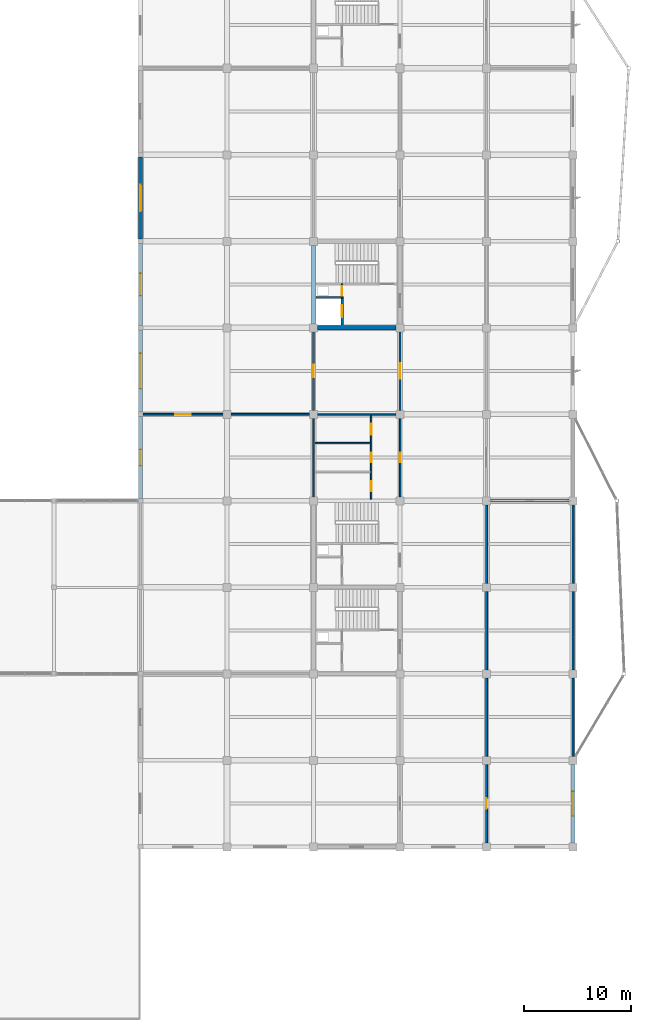
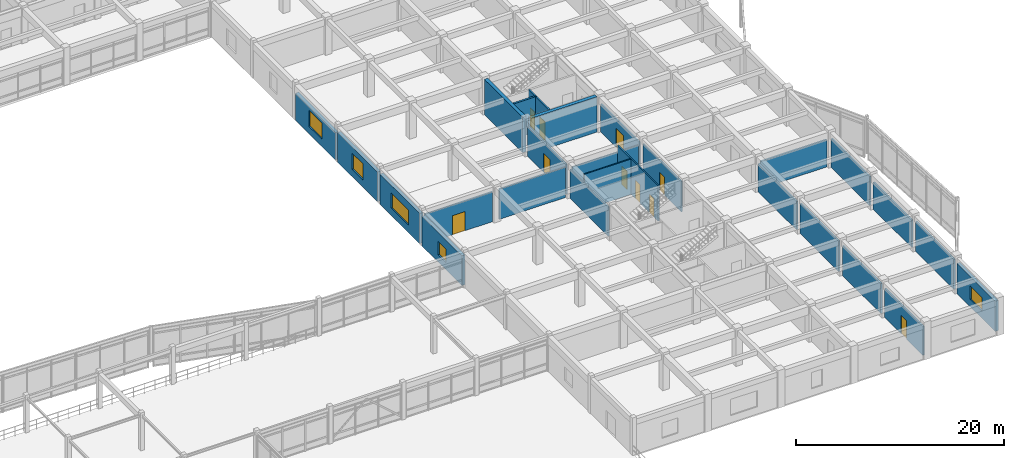
# One storey, part 70 of 89: 27 walls, 10 doors, 5 windows, 15 openings.
"""IFC4 building model written with IfcOpenShell, lengths in metres."""

from ifc_helpers import new_model, si_unit, direction, frame, frame_2d, origin, place, context, subcontext, project, spatial, rectangle, extrude, material, layer, layer_set, type_object, element, fill, save


model = new_model("IFC4")

# Units and contexts
model_context = context("Model", 3, precision=1e-05, world=origin(), true_north=direction((0.0, 1.0)))
body_context = subcontext(model_context, "Body", "Model", "MODEL_VIEW")
ifc_project = project(units=[si_unit("LENGTHUNIT", "METRE"), si_unit("AREAUNIT", "SQUARE_METRE"), si_unit("VOLUMEUNIT", "CUBIC_METRE"), si_unit("PLANEANGLEUNIT", "RADIAN"), si_unit("MASSUNIT", "GRAM", prefix="KILO")], contexts=[model_context])

# Site, building, storey
site_placement = place(None, origin())
site = spatial("IfcSite", under=ifc_project, at=site_placement, CompositionType="ELEMENT")
building_placement = place(site_placement, origin())
building = spatial("IfcBuilding", under=site, at=building_placement, Name="Vaudrelin Polytechnic", CompositionType="ELEMENT")
storey_placement = place(building_placement, frame((0.0, 0.0, 9.68994140625)))
storey = spatial("IfcBuildingStorey", under=building, at=storey_placement, Name="L02", CompositionType="ELEMENT", Elevation=9.68994140625)

# Wall, opening, window
ifc_material_1 = material(Name="Precast concrete 35 MPa with terracotta baguette screen", Category="masonry")
ifc_layer_1 = layer(ifc_material_1, 0.35009765625)
ifc_layer_set_1 = layer_set([ifc_layer_1], Name="Precast concrete 35 MPa with terracotta baguette screen")
wall_type_1 = type_object("IfcWallType", Name="WAL-EW-TERR350", PredefinedType="STANDARD", material=ifc_layer_set_1)
wall_1_placement = place(storey_placement, frame((170.10009765625, 16.572998046875, 0.0), z_axis=(0.0, 0.0, 1.0), x_axis=(0.0, 1.0, 0.0)))
wall_1 = element("IfcWall", 1, at=wall_1_placement, inside=storey, type_object=wall_type_1, Name="Exterior wall L02 E_V4_00", PredefinedType="STANDARD", context=body_context, shape_type="SweptSolid", body=[
    extrude(rectangle(XDim=7.35400390625, YDim=0.35009765625, at=frame_2d((3.677001953125, 0.0))), origin(), (0.0, 0.0, 1.0), 3.5419921875),
])
opening_1_placement = place(wall_1_placement, frame((2.527099609375, 0.0, 0.85009765625)))
opening_1 = element("IfcOpeningElement", 2, at=opening_1_placement, cuts=wall_1, Name="Opening W-L02-E-V4-01", PredefinedType="OPENING", context=body_context, shape_type="SweptSolid", body=[
    extrude(rectangle(XDim=2.300048828125, YDim=1.60009765625, at=frame_2d((1.14990234375, 0.800048828125))), frame((0.0, 0.18505859375, 0.0), z_axis=(0.0, -1.0, 0.0), x_axis=(1.0, 0.0, 0.0)), (0.0, 0.0, 1.0), 0.3701171875),
])
ifc_material_2 = material(Name="Thermally broken aluminium frame with triple low-e glazing", Category="aluminium")
window_type_1 = type_object("IfcWindowType", Name="WIN-WN-44", PartitioningType="SINGLE_PANEL", PredefinedType="WINDOW", material=ifc_material_2)
window_1_placement = place(opening_1_placement, origin())
window_1 = element("IfcWindow", 3, at=window_1_placement, inside=storey, type_object=window_type_1, Name="Facade window L02-E_V4_00", OverallHeight=1.60009765625, OverallWidth=2.300048828125, PartitioningType="SINGLE_PANEL", PredefinedType="WINDOW", context=body_context, shape_type="SweptSolid", body=[
    extrude(rectangle(XDim=2.300048828125, YDim=1.60009765625, at=frame_2d((1.14990234375, 0.800048828125))), frame((0.0, 0.030029296875, 0.0), z_axis=(0.0, -1.0, 0.0), x_axis=(1.0, 0.0, 0.0)), (0.0, 0.0, 1.0), 0.06005859375),
])
fill(opening_1, window_1)

wall_2_placement = place(storey_placement, frame((129.60009765625, 48.822998046875, 0.0), z_axis=(0.0, 0.0, 1.0), x_axis=(0.0, 1.0, 0.0)))
wall_2 = element("IfcWall", 4, at=wall_2_placement, inside=storey, type_object=wall_type_1, Name="Exterior wall L02 CT_E_00", PredefinedType="STANDARD", context=body_context, shape_type="SweptSolid", body=[
    extrude(rectangle(XDim=7.654052734375, YDim=0.35009765625, at=frame_2d((3.8271484375, 0.0))), origin(), (0.0, 0.0, 1.0), 3.491943359375),
])
opening_2_placement = place(wall_2_placement, frame((3.076904296875, 0.0, 0.85009765625)))
opening_2 = element("IfcOpeningElement", 5, at=opening_2_placement, cuts=wall_2, Name="Opening W-L02-CT-E-01", PredefinedType="OPENING", context=body_context, shape_type="SweptSolid", body=[
    extrude(rectangle(XDim=1.5, YDim=1.550048828125, at=frame_2d((0.75, 0.77490234375))), frame((0.0, 0.18505859375, 0.0), z_axis=(0.0, -1.0, 0.0), x_axis=(1.0, 0.0, 0.0)), (0.0, 0.0, 1.0), 0.3701171875),
])
window_type_2 = type_object("IfcWindowType", Name="WIN-WN-24", PartitioningType="SINGLE_PANEL", PredefinedType="WINDOW", material=ifc_material_2)
window_2_placement = place(opening_2_placement, origin())
window_2 = element("IfcWindow", 6, at=window_2_placement, inside=storey, type_object=window_type_2, Name="Facade window L02-CT_E_00", OverallHeight=1.550048828125, OverallWidth=1.5, PartitioningType="SINGLE_PANEL", PredefinedType="WINDOW", context=body_context, shape_type="SweptSolid", body=[
    extrude(rectangle(XDim=1.5, YDim=1.550048828125, at=frame_2d((0.75, 0.77490234375))), frame((0.0, 0.030029296875, 0.0), z_axis=(0.0, -1.0, 0.0), x_axis=(1.0, 0.0, 0.0)), (0.0, 0.0, 1.0), 0.06005859375),
])
fill(opening_2, window_2)

wall_3_placement = place(storey_placement, frame((129.60009765625, 56.923095703125, 0.0), z_axis=(0.0, 0.0, 1.0), x_axis=(0.0, 1.0, 0.0)))
wall_3 = element("IfcWall", 7, at=wall_3_placement, inside=storey, type_object=wall_type_1, Name="Exterior wall L02 CT_E_01", PredefinedType="STANDARD", context=body_context, shape_type="SweptSolid", body=[
    extrude(rectangle(XDim=7.65380859375, YDim=0.35009765625, at=frame_2d((3.826904296875, 0.0))), origin(), (0.0, 0.0, 1.0), 3.5419921875),
])
opening_3_placement = place(wall_3_placement, frame((2.177001953125, 0.0, 0.85009765625)))
opening_3 = element("IfcOpeningElement", 8, at=opening_3_placement, cuts=wall_3, Name="Opening W-L02-CT-E-02", PredefinedType="OPENING", context=body_context, shape_type="SweptSolid", body=[
    extrude(rectangle(XDim=3.300048828125, YDim=1.800048828125, at=frame_2d((1.64990234375, 0.89990234375))), frame((0.0, 0.18505859375, 0.0), z_axis=(0.0, -1.0, 0.0), x_axis=(1.0, 0.0, 0.0)), (0.0, 0.0, 1.0), 0.3701171875),
])
window_type_3 = type_object("IfcWindowType", Name="WIN-WN-25", PartitioningType="SINGLE_PANEL", PredefinedType="WINDOW", material=ifc_material_2)
window_3_placement = place(opening_3_placement, origin())
window_3 = element("IfcWindow", 9, at=window_3_placement, inside=storey, type_object=window_type_3, Name="Facade window L02-CT_E_01", OverallHeight=1.800048828125, OverallWidth=3.300048828125, PartitioningType="SINGLE_PANEL", PredefinedType="WINDOW", context=body_context, shape_type="SweptSolid", body=[
    extrude(rectangle(XDim=3.300048828125, YDim=1.800048828125, at=frame_2d((1.64990234375, 0.89990234375))), frame((0.0, 0.030029296875, 0.0), z_axis=(0.0, -1.0, 0.0), x_axis=(1.0, 0.0, 0.0)), (0.0, 0.0, 1.0), 0.06005859375),
])
fill(opening_3, window_3)

wall_4_placement = place(storey_placement, frame((129.60009765625, 65.02294921875, 0.0), z_axis=(0.0, 0.0, 1.0), x_axis=(0.0, 1.0, 0.0)))
wall_4 = element("IfcWall", 10, at=wall_4_placement, inside=storey, type_object=wall_type_1, Name="Exterior wall L02 CT_E_02", PredefinedType="STANDARD", context=body_context, shape_type="SweptSolid", body=[
    extrude(rectangle(XDim=7.654052734375, YDim=0.35009765625, at=frame_2d((3.8271484375, 0.0))), origin(), (0.0, 0.0, 1.0), 3.491943359375),
])
opening_4_placement = place(wall_4_placement, frame((2.777099609375, 0.0, 0.85009765625)))
opening_4 = element("IfcOpeningElement", 11, at=opening_4_placement, cuts=wall_4, Name="Opening W-L02-CT-E-03", PredefinedType="OPENING", context=body_context, shape_type="SweptSolid", body=[
    extrude(rectangle(XDim=2.10009765625, YDim=1.89990234375, at=frame_2d((1.050048828125, 0.949951171875))), frame((0.0, 0.18505859375, 0.0), z_axis=(0.0, -1.0, 0.0), x_axis=(1.0, 0.0, 0.0)), (0.0, 0.0, 1.0), 0.3701171875),
])
window_type_4 = type_object("IfcWindowType", Name="WIN-WN-26", PartitioningType="SINGLE_PANEL", PredefinedType="WINDOW", material=ifc_material_2)
window_4_placement = place(opening_4_placement, origin())
window_4 = element("IfcWindow", 12, at=window_4_placement, inside=storey, type_object=window_type_4, Name="Facade window L02-CT_E_02", OverallHeight=1.89990234375, OverallWidth=2.10009765625, PartitioningType="SINGLE_PANEL", PredefinedType="WINDOW", context=body_context, shape_type="SweptSolid", body=[
    extrude(rectangle(XDim=2.10009765625, YDim=1.89990234375, at=frame_2d((1.050048828125, 0.949951171875))), frame((0.0, 0.030029296875, 0.0), z_axis=(0.0, -1.0, 0.0), x_axis=(1.0, 0.0, 0.0)), (0.0, 0.0, 1.0), 0.06005859375),
])
fill(opening_4, window_4)

wall_5_placement = place(storey_placement, frame((129.60009765625, 73.123046875, 0.0), z_axis=(0.0, 0.0, 1.0), x_axis=(0.0, 1.0, 0.0)))
wall_5 = element("IfcWall", 13, at=wall_5_placement, inside=storey, type_object=wall_type_1, Name="Exterior wall L02 CT_E_03", PredefinedType="STANDARD", context=body_context, shape_type="SweptSolid", body=[
    extrude(rectangle(XDim=7.654052734375, YDim=0.35009765625, at=frame_2d((3.8271484375, 0.0))), origin(), (0.0, 0.0, 1.0), 3.192138671875),
])
opening_5_placement = place(wall_5_placement, frame((2.576904296875, 0.0, 0.85009765625)))
opening_5 = element("IfcOpeningElement", 14, at=opening_5_placement, cuts=wall_5, Name="Opening W-L02-CT-E-04", PredefinedType="OPENING", context=body_context, shape_type="SweptSolid", body=[
    extrude(rectangle(XDim=2.5, YDim=1.89990234375, at=frame_2d((1.25, 0.949951171875))), frame((0.0, 0.18505859375, 0.0), z_axis=(0.0, -1.0, 0.0), x_axis=(1.0, 0.0, 0.0)), (0.0, 0.0, 1.0), 0.3701171875),
])
window_type_5 = type_object("IfcWindowType", Name="WIN-WN-27", PartitioningType="SINGLE_PANEL", PredefinedType="WINDOW", material=ifc_material_2)
window_5_placement = place(opening_5_placement, origin())
window_5 = element("IfcWindow", 15, at=window_5_placement, inside=storey, type_object=window_type_5, Name="Facade window L02-CT_E_03", OverallHeight=1.89990234375, OverallWidth=2.5, PartitioningType="SINGLE_PANEL", PredefinedType="WINDOW", context=body_context, shape_type="SweptSolid", body=[
    extrude(rectangle(XDim=2.5, YDim=1.89990234375, at=frame_2d((1.25, 0.949951171875))), frame((0.0, 0.030029296875, 0.0), z_axis=(0.0, -1.0, 0.0), x_axis=(1.0, 0.0, 0.0)), (0.0, 0.0, 1.0), 0.06005859375),
])
fill(opening_5, window_5)

# Wall, opening, door
ifc_material_3 = material(Name="Acoustic double-stud gypsum & mineral-wool partition", Category="gypsum")
ifc_layer_2 = layer(ifc_material_3, 0.179931640625)
ifc_layer_set_2 = layer_set([ifc_layer_2], Name="Acoustic double-stud gypsum & mineral-wool partition")
wall_type_2 = type_object("IfcWallType", Name="WAL-PW-AC180", PredefinedType="PARTITIONING", material=ifc_layer_set_2)
wall_6_placement = place(storey_placement, frame((162.0, 16.572998046875, 0.0), z_axis=(0.0, 0.0, 1.0), x_axis=(0.0, 1.0, 0.0)))
wall_6 = element("IfcWall", 16, at=wall_6_placement, inside=storey, type_object=wall_type_2, Name="Partition L02-021 W", PredefinedType="PARTITIONING", context=body_context, shape_type="SweptSolid", body=[
    extrude(rectangle(XDim=7.35400390625, YDim=0.179931640625, at=frame_2d((3.677001953125, 0.0))), origin(), (0.0, 0.0, 1.0), 3.39208984375),
])
opening_6_placement = place(wall_6_placement, frame((3.177001953125, 0.0, 0.0)))
opening_6 = element("IfcOpeningElement", 17, at=opening_6_placement, cuts=wall_6, Name="Opening D-L02-486", PredefinedType="OPENING", context=body_context, shape_type="SweptSolid", body=[
    extrude(rectangle(XDim=1.0, YDim=2.14990234375, at=frame_2d((0.5, 1.074951171875))), frame((0.0, 0.10009765625, 0.0), z_axis=(0.0, -1.0, 0.0), x_axis=(1.0, 0.0, 0.0)), (0.0, 0.0, 1.0), 0.199951171875),
])
ifc_material_4 = material(Name="Solid-core birch veneer acoustic leaf", Category="wood")
door_type_1 = type_object("IfcDoorType", Name="DOR-ID-SEM1", OperationType="NOTDEFINED", PredefinedType="DOOR", material=ifc_material_4)
door_1_placement = place(opening_6_placement, origin())
door_1 = element("IfcDoor", 18, at=door_1_placement, inside=storey, type_object=door_type_1, Name="Seminar Room 203 door L02-021", OperationType="SINGLE_SWING_RIGHT", OverallHeight=2.14990234375, OverallWidth=1.0, PredefinedType="DOOR", context=body_context, shape_type="SweptSolid", body=[
    extrude(rectangle(XDim=1.0, YDim=2.14990234375, at=frame_2d((0.5, 1.074951171875))), frame((0.0, 0.02490234375, 0.0), z_axis=(0.0, -1.0, 0.0), x_axis=(1.0, 0.0, 0.0)), (0.0, 0.0, 1.0), 0.050048828125),
])
fill(opening_6, door_1)

# Walls
wall_7_placement = place(storey_placement, frame((162.0, 24.673095703125, 0.0), z_axis=(0.0, 0.0, 1.0), x_axis=(0.0, 1.0, 0.0)))
element("IfcWall", 19, at=wall_7_placement, inside=storey, type_object=wall_type_2, Name="Partition L02-021 W", PredefinedType="PARTITIONING", context=body_context, shape_type="SweptSolid", body=[
    extrude(rectangle(XDim=7.35400390625, YDim=0.179931640625, at=frame_2d((3.677001953125, 0.0))), origin(), (0.0, 0.0, 1.0), 3.491943359375),
])
wall_8_placement = place(storey_placement, frame((162.0, 32.77294921875, 0.0), z_axis=(0.0, 0.0, 1.0), x_axis=(0.0, 1.0, 0.0)))
element("IfcWall", 20, at=wall_8_placement, inside=storey, type_object=wall_type_2, Name="Partition L02-021 W", PredefinedType="PARTITIONING", context=body_context, shape_type="SweptSolid", body=[
    extrude(rectangle(XDim=7.35400390625, YDim=0.179931640625, at=frame_2d((3.677001953125, 0.0))), origin(), (0.0, 0.0, 1.0), 3.5419921875),
])
wall_9_placement = place(storey_placement, frame((162.0, 40.873046875, 0.0), z_axis=(0.0, 0.0, 1.0), x_axis=(0.0, 1.0, 0.0)))
element("IfcWall", 21, at=wall_9_placement, inside=storey, type_object=wall_type_2, Name="Partition L02-021 W", PredefinedType="PARTITIONING", context=body_context, shape_type="SweptSolid", body=[
    extrude(rectangle(XDim=7.35400390625, YDim=0.179931640625, at=frame_2d((3.677001953125, 0.0))), origin(), (0.0, 0.0, 1.0), 3.2919921875),
])
wall_10_placement = place(storey_placement, frame((162.373046875, 48.60009765625, 0.0), z_axis=(0.0, 0.0, 1.0), x_axis=(1.0, 0.0, 0.0)))
element("IfcWall", 22, at=wall_10_placement, inside=storey, type_object=wall_type_2, Name="Partition L02-021 N", PredefinedType="PARTITIONING", context=body_context, shape_type="SweptSolid", body=[
    extrude(rectangle(XDim=7.35400390625, YDim=0.179931640625, at=frame_2d((3.677001953125, 0.0))), origin(), (0.0, 0.0, 1.0), 3.192138671875),
])
wall_11_placement = place(storey_placement, frame((170.10009765625, 24.673095703125, 0.0), z_axis=(0.0, 0.0, 1.0), x_axis=(0.0, 1.0, 0.0)))
element("IfcWall", 23, at=wall_11_placement, inside=storey, type_object=wall_type_2, Name="Partition L02-021 E", PredefinedType="PARTITIONING", context=body_context, shape_type="SweptSolid", body=[
    extrude(rectangle(XDim=7.35400390625, YDim=0.179931640625, at=frame_2d((3.677001953125, 0.0))), origin(), (0.0, 0.0, 1.0), 3.491943359375),
])
wall_12_placement = place(storey_placement, frame((170.10009765625, 32.77294921875, 0.0), z_axis=(0.0, 0.0, 1.0), x_axis=(0.0, 1.0, 0.0)))
element("IfcWall", 24, at=wall_12_placement, inside=storey, type_object=wall_type_2, Name="Partition L02-021 E", PredefinedType="PARTITIONING", context=body_context, shape_type="SweptSolid", body=[
    extrude(rectangle(XDim=7.35400390625, YDim=0.179931640625, at=frame_2d((3.677001953125, 0.0))), origin(), (0.0, 0.0, 1.0), 3.192138671875),
])
wall_13_placement = place(storey_placement, frame((170.10009765625, 40.873046875, 0.0), z_axis=(0.0, 0.0, 1.0), x_axis=(0.0, 1.0, 0.0)))
element("IfcWall", 25, at=wall_13_placement, inside=storey, type_object=wall_type_2, Name="Partition L02-021 E", PredefinedType="PARTITIONING", context=body_context, shape_type="SweptSolid", body=[
    extrude(rectangle(XDim=7.35400390625, YDim=0.179931640625, at=frame_2d((3.677001953125, 0.0))), origin(), (0.0, 0.0, 1.0), 3.39208984375),
])

# Wall, opening, door
ifc_material_5 = material(Name="Fire-rated steel-stud gypsum compartment wall", Category="steel")
ifc_layer_3 = layer(ifc_material_5, 0.14990234375)
ifc_layer_set_3 = layer_set([ifc_layer_3], Name="Fire-rated steel-stud gypsum compartment wall")
wall_type_3 = type_object("IfcWallType", Name="WAL-PW-FIRE60", PredefinedType="PARTITIONING", material=ifc_layer_set_3)
wall_14_placement = place(storey_placement, frame((148.47998046875, 67.64990234375, 0.0), z_axis=(0.0, 0.0, 1.0), x_axis=(0.0, 1.0, 0.0)))
wall_14 = element("IfcWall", 26, at=wall_14_placement, inside=storey, type_object=wall_type_3, Name="Core C7 riser enclosure wall L02", PredefinedType="PARTITIONING", context=body_context, shape_type="SweptSolid", body=[
    extrude(rectangle(XDim=1.260009765625, YDim=0.14990234375, at=frame_2d((0.6298828125, 0.0))), origin(), (0.0, 0.0, 1.0), 4.14208984375),
])
opening_7_placement = place(wall_14_placement, frame((0.139892578125, 0.0, 0.0)))
opening_7 = element("IfcOpeningElement", 27, at=opening_7_placement, cuts=wall_14, Name="Opening D-L02-122", PredefinedType="OPENING", context=body_context, shape_type="SweptSolid", body=[
    extrude(rectangle(XDim=0.89990234375, YDim=2.14990234375, at=frame_2d((0.449951171875, 1.074951171875))), frame((0.0, 0.0849609375, 0.0), z_axis=(0.0, -1.0, 0.0), x_axis=(1.0, 0.0, 0.0)), (0.0, 0.0, 1.0), 0.169921875),
])
ifc_material_6 = material(Name="Pressed galvanised steel acoustic leaf", Category="steel")
door_type_2 = type_object("IfcDoorType", Name="DOR-ID-RSR1", OperationType="NOTDEFINED", PredefinedType="DOOR", material=ifc_material_6)
door_2_placement = place(opening_7_placement, origin())
door_2 = element("IfcDoor", 28, at=door_2_placement, inside=storey, type_object=door_type_2, Name="Core C7 riser access door L02", OperationType="SINGLE_SWING_RIGHT", OverallHeight=2.14990234375, OverallWidth=0.89990234375, PredefinedType="DOOR", context=body_context, shape_type="SweptSolid", body=[
    extrude(rectangle(XDim=0.89990234375, YDim=2.14990234375, at=frame_2d((0.449951171875, 1.074951171875))), frame((0.0, 0.02490234375, 0.0), z_axis=(0.0, -1.0, 0.0), x_axis=(1.0, 0.0, 0.0)), (0.0, 0.0, 1.0), 0.050048828125),
])
fill(opening_7, door_2)

ifc_material_7 = material(Name="Moisture- and chemical-resistant laboratory partition", Category="gypsum")
ifc_layer_4 = layer(ifc_material_7, 0.159912109375)
ifc_layer_set_4 = layer_set([ifc_layer_4], Name="Moisture- and chemical-resistant laboratory partition")
wall_type_4 = type_object("IfcWallType", Name="WAL-PW-LAB160", PredefinedType="PARTITIONING", material=ifc_layer_set_4)
wall_15_placement = place(storey_placement, frame((129.822998046875, 56.699951171875, 0.0), z_axis=(0.0, 0.0, 1.0), x_axis=(1.0, 0.0, 0.0)))
wall_15 = element("IfcWall", 29, at=wall_15_placement, inside=storey, type_object=wall_type_4, Name="Partition L02-015 N", PredefinedType="PARTITIONING", context=body_context, shape_type="SweptSolid", body=[
    extrude(rectangle(XDim=7.50390625, YDim=0.159912109375, at=frame_2d((3.751953125, 0.0))), origin(), (0.0, 0.0, 1.0), 3.491943359375),
])
opening_8_placement = place(wall_15_placement, frame((3.0419921875, 0.0, 0.0)))
opening_8 = element("IfcOpeningElement", 30, at=opening_8_placement, cuts=wall_15, Name="Opening D-L02-481", PredefinedType="OPENING", context=body_context, shape_type="SweptSolid", body=[
    extrude(rectangle(XDim=1.419921875, YDim=2.25, at=frame_2d((0.7099609375, 1.125))), frame((0.0, 0.08984375, 0.0), z_axis=(0.0, -1.0, 0.0), x_axis=(1.0, 0.0, 0.0)), (0.0, 0.0, 1.0), 0.179931640625),
])
door_type_3 = type_object("IfcDoorType", Name="DOR-ID-LAB4", OperationType="NOTDEFINED", PredefinedType="DOOR", material=ifc_material_6)
door_3_placement = place(opening_8_placement, origin())
door_3 = element("IfcDoor", 31, at=door_3_placement, inside=storey, type_object=door_type_3, Name="Rheology and Extrusion Laboratory door L02-015", OperationType="DOUBLE_SWING_LEFT", OverallHeight=2.25, OverallWidth=1.419921875, PredefinedType="DOOR", context=body_context, shape_type="SweptSolid", body=[
    extrude(rectangle(XDim=1.419921875, YDim=2.25, at=frame_2d((0.7099609375, 1.125))), frame((0.0, 0.02490234375, 0.0), z_axis=(0.0, -1.0, 0.0), x_axis=(1.0, 0.0, 0.0)), (0.0, 0.0, 1.0), 0.050048828125),
])
fill(opening_8, door_3)

# Wall
wall_16_placement = place(storey_placement, frame((138.072998046875, 56.699951171875, 0.0), z_axis=(0.0, 0.0, 1.0), x_axis=(1.0, 0.0, 0.0)))
element("IfcWall", 32, at=wall_16_placement, inside=storey, type_object=wall_type_4, Name="Partition L02-015 N", PredefinedType="PARTITIONING", context=body_context, shape_type="SweptSolid", body=[
    extrude(rectangle(XDim=7.35400390625, YDim=0.159912109375, at=frame_2d((3.677001953125, 0.0))), origin(), (0.0, 0.0, 1.0), 3.5419921875),
])

# Wall, opening, door
wall_17_placement = place(storey_placement, frame((145.800048828125, 57.072998046875, 0.0), z_axis=(0.0, 0.0, 1.0), x_axis=(0.0, 1.0, 0.0)))
wall_17 = element("IfcWall", 33, at=wall_17_placement, inside=storey, type_object=wall_type_4, Name="Partition L02-016 E", PredefinedType="PARTITIONING", context=body_context, shape_type="SweptSolid", body=[
    extrude(rectangle(XDim=7.35400390625, YDim=0.159912109375, at=frame_2d((3.677001953125, 0.0))), origin(), (0.0, 0.0, 1.0), 3.491943359375),
])
opening_9_placement = place(wall_17_placement, frame((3.076904296875, 0.0, 0.0)))
opening_9 = element("IfcOpeningElement", 34, at=opening_9_placement, cuts=wall_17, Name="Opening D-L02-482", PredefinedType="OPENING", context=body_context, shape_type="SweptSolid", body=[
    extrude(rectangle(XDim=1.199951171875, YDim=2.199951171875, at=frame_2d((0.60009765625, 1.10009765625))), frame((0.0, 0.08984375, 0.0), z_axis=(0.0, -1.0, 0.0), x_axis=(1.0, 0.0, 0.0)), (0.0, 0.0, 1.0), 0.179931640625),
])
door_type_4 = type_object("IfcDoorType", Name="DOR-ID-LAB2", OperationType="NOTDEFINED", PredefinedType="DOOR", material=ifc_material_6)
door_4_placement = place(opening_9_placement, origin())
door_4 = element("IfcDoor", 35, at=door_4_placement, inside=storey, type_object=door_type_4, Name="Process Control and Reaction Laboratory door L02-016", OperationType="SINGLE_SWING_LEFT", OverallHeight=2.199951171875, OverallWidth=1.199951171875, PredefinedType="DOOR", context=body_context, shape_type="SweptSolid", body=[
    extrude(rectangle(XDim=1.199951171875, YDim=2.199951171875, at=frame_2d((0.60009765625, 1.10009765625))), frame((0.0, 0.02490234375, 0.0), z_axis=(0.0, -1.0, 0.0), x_axis=(1.0, 0.0, 0.0)), (0.0, 0.0, 1.0), 0.050048828125),
])
fill(opening_9, door_4)

wall_18_placement = place(storey_placement, frame((153.89990234375, 57.072998046875, 0.0), z_axis=(0.0, 0.0, 1.0), x_axis=(0.0, 1.0, 0.0)))
wall_18 = element("IfcWall", 36, at=wall_18_placement, inside=storey, type_object=wall_type_4, Name="Partition L02-030 E", PredefinedType="PARTITIONING", context=body_context, shape_type="SweptSolid", body=[
    extrude(rectangle(XDim=7.35400390625, YDim=0.159912109375, at=frame_2d((3.677001953125, 0.0))), origin(), (0.0, 0.0, 1.0), 3.2919921875),
])
opening_10_placement = place(wall_18_placement, frame((2.967041015625, 0.0, 0.0)))
opening_10 = element("IfcOpeningElement", 37, at=opening_10_placement, cuts=wall_18, Name="Opening D-L02-494", PredefinedType="OPENING", context=body_context, shape_type="SweptSolid", body=[
    extrude(rectangle(XDim=1.419921875, YDim=2.25, at=frame_2d((0.7099609375, 1.125))), frame((0.0, 0.08984375, 0.0), z_axis=(0.0, -1.0, 0.0), x_axis=(1.0, 0.0, 0.0)), (0.0, 0.0, 1.0), 0.179931640625),
])
door_5_placement = place(opening_10_placement, origin())
door_5 = element("IfcDoor", 38, at=door_5_placement, inside=storey, type_object=door_type_3, Name="Reaction Chromatography Room door L02-030", OperationType="DOUBLE_SWING_LEFT", OverallHeight=2.25, OverallWidth=1.419921875, PredefinedType="DOOR", context=body_context, shape_type="SweptSolid", body=[
    extrude(rectangle(XDim=1.419921875, YDim=2.25, at=frame_2d((0.7099609375, 1.125))), frame((0.0, 0.02490234375, 0.0), z_axis=(0.0, -1.0, 0.0), x_axis=(1.0, 0.0, 0.0)), (0.0, 0.0, 1.0), 0.050048828125),
])
fill(opening_10, door_5)

# Walls
ifc_material_8 = material(Name="Cement-board tiled wet-wall washroom partition", Category="gypsum")
ifc_layer_5 = layer(ifc_material_8, 0.139892578125)
ifc_layer_set_5 = layer_set([ifc_layer_5], Name="Cement-board tiled wet-wall washroom partition")
wall_type_5 = type_object("IfcWallType", Name="WAL-PW-WC140", PredefinedType="PARTITIONING", material=ifc_layer_set_5)
wall_19_placement = place(storey_placement, frame((146.173095703125, 56.699951171875, 0.0), z_axis=(0.0, 0.0, 1.0), x_axis=(1.0, 0.0, 0.0)))
element("IfcWall", 39, at=wall_19_placement, inside=storey, type_object=wall_type_5, Name="Washroom enclosure wall L02-18-6-N", PredefinedType="PARTITIONING", context=body_context, shape_type="SweptSolid", body=[
    extrude(rectangle(XDim=7.35400390625, YDim=0.139892578125, at=frame_2d((3.677001953125, 0.0))), origin(), (0.0, 0.0, 1.0), 3.2900390625),
])
wall_20_placement = place(storey_placement, frame((145.800048828125, 48.972900390625, 0.0), z_axis=(0.0, 0.0, 1.0), x_axis=(0.0, 1.0, 0.0)))
element("IfcWall", 40, at=wall_20_placement, inside=storey, type_object=wall_type_5, Name="Washroom enclosure wall L02-18-6-W", PredefinedType="PARTITIONING", context=body_context, shape_type="SweptSolid", body=[
    extrude(rectangle(XDim=7.35400390625, YDim=0.139892578125, at=frame_2d((3.677001953125, 0.0))), origin(), (0.0, 0.0, 1.0), 3.39013671875),
])

# Wall, opening, door
wall_21_placement = place(storey_placement, frame((153.89990234375, 48.972900390625, 0.0), z_axis=(0.0, 0.0, 1.0), x_axis=(0.0, 1.0, 0.0)))
wall_21 = element("IfcWall", 41, at=wall_21_placement, inside=storey, type_object=wall_type_5, Name="Washroom enclosure wall L02-18-6-E", PredefinedType="PARTITIONING", context=body_context, shape_type="SweptSolid", body=[
    extrude(rectangle(XDim=7.35400390625, YDim=0.139892578125, at=frame_2d((3.677001953125, 0.0))), origin(), (0.0, 0.0, 1.0), 3.5400390625),
])
opening_11_placement = place(wall_21_placement, frame((3.217041015625, 0.0, 0.0)))
opening_11 = element("IfcOpeningElement", 42, at=opening_11_placement, cuts=wall_21, Name="Opening D-L02-357", PredefinedType="OPENING", context=body_context, shape_type="SweptSolid", body=[
    extrude(rectangle(XDim=0.919921875, YDim=2.14990234375, at=frame_2d((0.4599609375, 1.074951171875))), frame((0.0, 0.080078125, 0.0), z_axis=(0.0, -1.0, 0.0), x_axis=(1.0, 0.0, 0.0)), (0.0, 0.0, 1.0), 0.159912109375),
])
door_type_5 = type_object("IfcDoorType", Name="DOR-ID-WC1", OperationType="NOTDEFINED", PredefinedType="DOOR", material=ifc_material_4)
door_6_placement = place(opening_11_placement, origin())
door_6 = element("IfcDoor", 43, at=door_6_placement, inside=storey, type_object=door_type_5, Name="Washroom vestibule door L02-18-6-E", OperationType="SINGLE_SWING_LEFT", OverallHeight=2.14990234375, OverallWidth=0.919921875, PredefinedType="DOOR", context=body_context, shape_type="SweptSolid", body=[
    extrude(rectangle(XDim=0.919921875, YDim=2.14990234375, at=frame_2d((0.4599609375, 1.074951171875))), frame((0.0, 0.02490234375, 0.0), z_axis=(0.0, -1.0, 0.0), x_axis=(1.0, 0.0, 0.0)), (0.0, 0.0, 1.0), 0.050048828125),
])
fill(opening_11, door_6)

# Wall, openings, doors
wall_22_placement = place(storey_placement, frame((151.199951171875, 48.75, 0.0), z_axis=(0.0, 0.0, 1.0), x_axis=(0.0, 1.0, 0.0)))
wall_22 = element("IfcWall", 44, at=wall_22_placement, inside=storey, type_object=wall_type_5, Name="Washroom vestibule divider L02-18-6", PredefinedType="PARTITIONING", context=body_context, shape_type="SweptSolid", body=[
    extrude(rectangle(XDim=7.800048828125, YDim=0.139892578125, at=frame_2d((3.89990234375, 0.0))), origin(), (0.0, 0.0, 1.0), 4.14208984375),
])
opening_12_placement = place(wall_22_placement, frame((0.75, 0.0, 0.0)))
opening_12 = element("IfcOpeningElement", 45, at=opening_12_placement, cuts=wall_22, Name="Opening D-L02-358", PredefinedType="OPENING", context=body_context, shape_type="SweptSolid", body=[
    extrude(rectangle(XDim=0.919921875, YDim=2.14990234375, at=frame_2d((0.4599609375, 1.074951171875))), frame((0.0, 0.080078125, 0.0), z_axis=(0.0, -1.0, 0.0), x_axis=(1.0, 0.0, 0.0)), (0.0, 0.0, 1.0), 0.159912109375),
])
opening_13_placement = place(wall_22_placement, frame((3.43994140625, 0.0, 0.0)))
opening_13 = element("IfcOpeningElement", 46, at=opening_13_placement, cuts=wall_22, Name="Opening D-L02-359", PredefinedType="OPENING", context=body_context, shape_type="SweptSolid", body=[
    extrude(rectangle(XDim=0.919921875, YDim=2.14990234375, at=frame_2d((0.4599609375, 1.074951171875))), frame((0.0, 0.080078125, 0.0), z_axis=(0.0, -1.0, 0.0), x_axis=(1.0, 0.0, 0.0)), (0.0, 0.0, 1.0), 0.159912109375),
])
opening_14_placement = place(wall_22_placement, frame((6.050048828125, 0.0, 0.0)))
opening_14 = element("IfcOpeningElement", 47, at=opening_14_placement, cuts=wall_22, Name="Opening D-L02-360", PredefinedType="OPENING", context=body_context, shape_type="SweptSolid", body=[
    extrude(rectangle(XDim=1.0, YDim=2.14990234375, at=frame_2d((0.5, 1.074951171875))), frame((0.0, 0.080078125, 0.0), z_axis=(0.0, -1.0, 0.0), x_axis=(1.0, 0.0, 0.0)), (0.0, 0.0, 1.0), 0.159912109375),
])
door_type_6 = type_object("IfcDoorType", Name="DOR-ID-AWC1", OperationType="NOTDEFINED", PredefinedType="DOOR", material=ifc_material_4)
door_7_placement = place(opening_14_placement, origin())
door_7 = element("IfcDoor", 48, at=door_7_placement, inside=storey, type_object=door_type_6, Name="Washroom stall-room door L02-18-6-3", OperationType="SINGLE_SWING_LEFT", OverallHeight=2.14990234375, OverallWidth=1.0, PredefinedType="DOOR", context=body_context, shape_type="SweptSolid", body=[
    extrude(rectangle(XDim=1.0, YDim=2.14990234375, at=frame_2d((0.5, 1.074951171875))), frame((0.0, 0.02490234375, 0.0), z_axis=(0.0, -1.0, 0.0), x_axis=(1.0, 0.0, 0.0)), (0.0, 0.0, 1.0), 0.050048828125),
])
fill(opening_14, door_7)
door_8_placement = place(opening_12_placement, origin())
door_8 = element("IfcDoor", 49, at=door_8_placement, inside=storey, type_object=door_type_5, Name="Washroom stall-room door L02-18-6-1", OperationType="SINGLE_SWING_LEFT", OverallHeight=2.14990234375, OverallWidth=0.919921875, PredefinedType="DOOR", context=body_context, shape_type="SweptSolid", body=[
    extrude(rectangle(XDim=0.919921875, YDim=2.14990234375, at=frame_2d((0.4599609375, 1.074951171875))), frame((0.0, 0.02490234375, 0.0), z_axis=(0.0, -1.0, 0.0), x_axis=(1.0, 0.0, 0.0)), (0.0, 0.0, 1.0), 0.050048828125),
])
fill(opening_12, door_8)
door_9_placement = place(opening_13_placement, origin())
door_9 = element("IfcDoor", 50, at=door_9_placement, inside=storey, type_object=door_type_5, Name="Washroom stall-room door L02-18-6-2", OperationType="SINGLE_SWING_RIGHT", OverallHeight=2.14990234375, OverallWidth=0.919921875, PredefinedType="DOOR", context=body_context, shape_type="SweptSolid", body=[
    extrude(rectangle(XDim=0.919921875, YDim=2.14990234375, at=frame_2d((0.4599609375, 1.074951171875))), frame((0.0, 0.02490234375, 0.0), z_axis=(0.0, -1.0, 0.0), x_axis=(1.0, 0.0, 0.0)), (0.0, 0.0, 1.0), 0.050048828125),
])
fill(opening_13, door_9)

# Wall
wall_23_placement = place(storey_placement, frame((145.949951171875, 54.0, 0.0), z_axis=(0.0, 0.0, 1.0), x_axis=(1.0, 0.0, 0.0)))
element("IfcWall", 51, at=wall_23_placement, inside=storey, type_object=wall_type_5, Name="Washroom separation wall L02-18-6-2", PredefinedType="PARTITIONING", context=body_context, shape_type="SweptSolid", body=[
    extrude(rectangle(XDim=5.179931640625, YDim=0.139892578125, at=frame_2d((2.58984375, 0.0))), origin(), (0.0, 0.0, 1.0), 4.14208984375),
])

# Wall, opening, door
ifc_material_9 = material(Name="Concrete 40 MPa", Category="concrete")
ifc_layer_6 = layer(ifc_material_9, 0.199951171875)
ifc_layer_set_6 = layer_set([ifc_layer_6], Name="Concrete 40 MPa")
wall_type_6 = type_object("IfcWallType", Name="WAL-SW-CORE200", PredefinedType="SHEAR", material=ifc_layer_set_6)
wall_24_placement = place(storey_placement, frame((148.47998046875, 65.050048828125, 0.0), z_axis=(0.0, 0.0, 1.0), x_axis=(0.0, 1.0, 0.0)))
wall_24 = element("IfcWall", 52, at=wall_24_placement, inside=storey, type_object=wall_type_6, Name="Lift LF-07 shaft front wall L02", PredefinedType="SHEAR", context=body_context, shape_type="SweptSolid", body=[
    extrude(rectangle(XDim=2.599853515625, YDim=0.199951171875, at=frame_2d((1.2998046875, 0.0))), origin(), (0.0, 0.0, 1.0), 4.14208984375),
])
opening_15_placement = place(wall_24_placement, frame((0.75, 0.0, 0.0)))
opening_15 = element("IfcOpeningElement", 53, at=opening_15_placement, cuts=wall_24, Name="Opening LD-LF-07-L02", PredefinedType="OPENING", context=body_context, shape_type="SweptSolid", body=[
    extrude(rectangle(XDim=1.10009765625, YDim=2.199951171875, at=frame_2d((0.550048828125, 1.10009765625))), frame((0.0, 0.10986328125, 0.0), z_axis=(0.0, -1.0, 0.0), x_axis=(1.0, 0.0, 0.0)), (0.0, 0.0, 1.0), 0.219970703125),
])
ifc_material_10 = material(Name="Brushed stainless steel AISI 304", Category="steel")
door_type_7 = type_object("IfcDoorType", Name="DOR-LD-PAX", OperationType="SLIDING_TO_LEFT", PredefinedType="DOOR", material=ifc_material_10)
door_10_placement = place(opening_15_placement, origin())
door_10 = element("IfcDoor", 54, at=door_10_placement, inside=storey, type_object=door_type_7, Name="Lift LF-07 landing door L02", OperationType="SLIDING_TO_LEFT", OverallHeight=2.199951171875, OverallWidth=1.10009765625, PredefinedType="DOOR", context=body_context, shape_type="SweptSolid", body=[
    extrude(rectangle(XDim=1.10009765625, YDim=2.199951171875, at=frame_2d((0.550048828125, 1.10009765625))), frame((0.0, 0.02490234375, 0.0), z_axis=(0.0, -1.0, 0.0), x_axis=(1.0, 0.0, 0.0)), (0.0, 0.0, 1.0), 0.050048828125),
])
fill(opening_15, door_10)

# Walls
wall_25_placement = place(storey_placement, frame((146.02001953125, 67.64990234375, 0.0), z_axis=(0.0, 0.0, 1.0), x_axis=(1.0, 0.0, 0.0)))
element("IfcWall", 55, at=wall_25_placement, inside=storey, type_object=wall_type_6, Name="Lift LF-07 shaft north wall L02", PredefinedType="SHEAR", context=body_context, shape_type="SweptSolid", body=[
    extrude(rectangle(XDim=2.56005859375, YDim=0.199951171875, at=frame_2d((1.280029296875, 0.0))), origin(), (0.0, 0.0, 1.0), 4.14208984375),
])
ifc_material_11 = material(Name="Concrete 50 MPa", Category="concrete")
ifc_layer_7 = layer(ifc_material_11, 0.39990234375)
ifc_layer_set_7 = layer_set([ifc_layer_7], Name="Concrete 50 MPa")
wall_type_7 = type_object("IfcWallType", Name="WAL-SW-CORE400", PredefinedType="SHEAR", material=ifc_layer_set_7)
for number, where, z_axis, x_axis, name in (
    (56, (145.800048828125, 65.173095703125, 0.0), (0.0, 0.0, 1.0), (0.0, 1.0, 0.0), "Core C7 W shear wall L02"),
    (57, (146.173095703125, 64.800048828125, 0.0), (0.0, 0.0, 1.0), (1.0, 0.0, 0.0), "Core C7 S shear wall L02"),
):
    element("IfcWall", number, at=place(storey_placement, frame(where, z_axis=z_axis, x_axis=x_axis)), inside=storey, type_object=wall_type_7, Name=name, PredefinedType="SHEAR", context=body_context, shape_type="SweptSolid", body=[
        extrude(rectangle(XDim=7.35400390625, YDim=0.39990234375, at=frame_2d((3.677001953125, 0.0))), origin(), (0.0, 0.0, 1.0), 4.14208984375),
    ])

save(model, "model.ifc")
